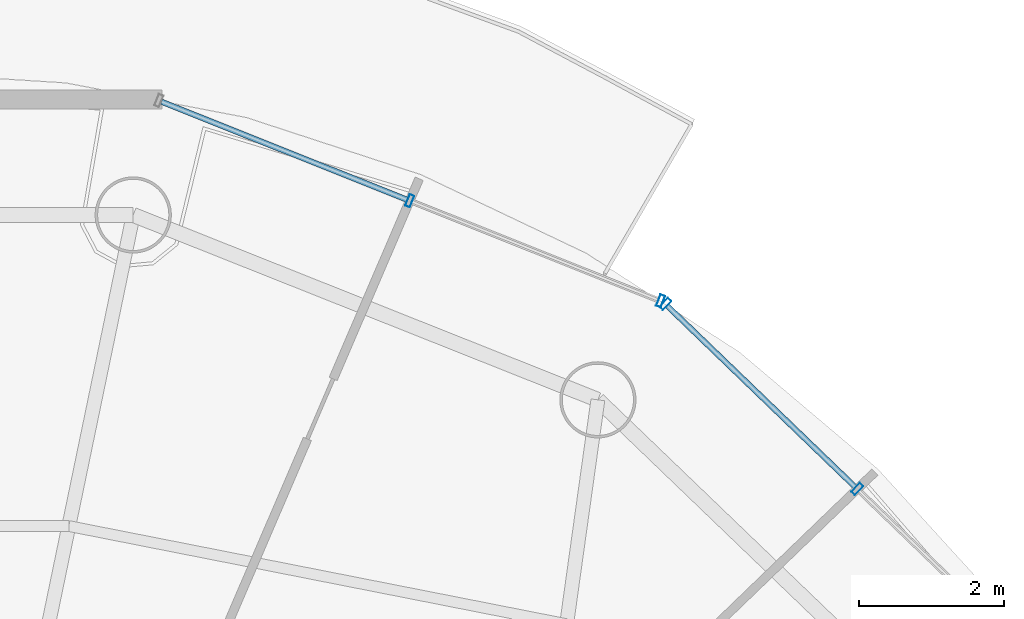
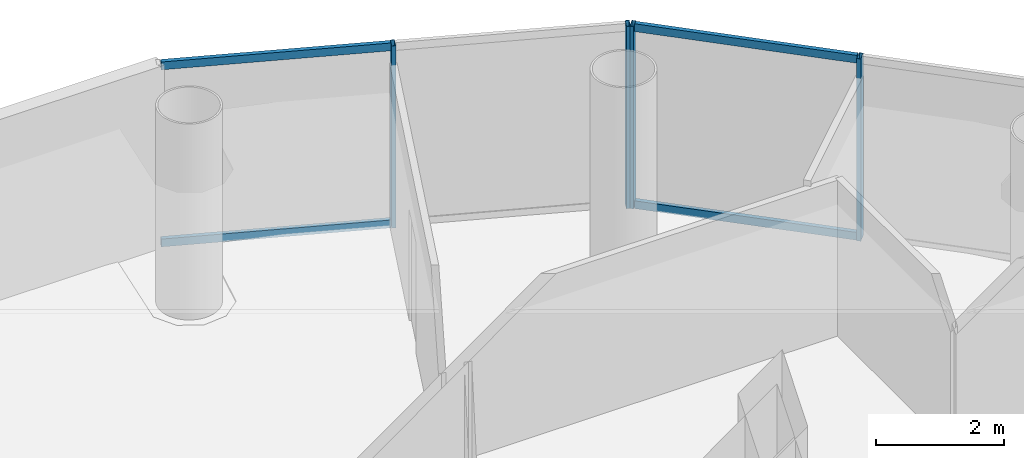
# One storey, part 15 of 23: 8 members, 2 elements without a shape of their own.
"""IFC4 building model written with IfcOpenShell, lengths in metres."""

from ifc_helpers import new_model, si_unit, direction, frame, origin, origin_2d, place, context, subcontext, project, spatial, hollow_rectangle, extrude, source, transform, mapped, material, material_profile, profile_set, type_object, element, aggregate, save


model = new_model("IFC4")

# Units and contexts
model_context = context("Model", 3, precision=1e-05, world=origin(), true_north=direction((-0.2419218956, 0.970295726276)))
body_context = subcontext(model_context, "Body", "Model", "MODEL_VIEW")
ifc_project = project(units=[si_unit("LENGTHUNIT", "METRE"), si_unit("AREAUNIT", "SQUARE_METRE"), si_unit("VOLUMEUNIT", "CUBIC_METRE"), si_unit("PLANEANGLEUNIT", "RADIAN"), si_unit("MASSUNIT", "GRAM", prefix="KILO")], contexts=[model_context])

# Site, building, storey
site_placement = place(None, origin())
site = spatial("IfcSite", under=ifc_project, at=site_placement, CompositionType="ELEMENT")
building_placement = place(site_placement, origin())
building = spatial("IfcBuilding", under=site, at=building_placement, Name="Cobrevalo Terracotta Tower", CompositionType="ELEMENT")
storey_placement = place(building_placement, frame((0.0, 0.0, 251.949951171875)))
storey = spatial("IfcBuildingStorey", under=building, at=storey_placement, Name="L66", CompositionType="ELEMENT", Elevation=251.949951171875)

# Curtain wall, members
ifc_material = material(Name="Anodized aluminium", Category="aluminium")
curtain_wall_type = type_object("IfcCurtainWallType", Name="Upper-tower triple-glazed penthouse curtain wall CW-U3", PredefinedType="NOTDEFINED", material=ifc_material)
curtain_wall_1_placement = place(storey_placement, origin())
curtain_wall_1 = element("IfcCurtainWall", 1, at=curtain_wall_1_placement, inside=storey, type_object=curtain_wall_type, Name="L66 curtain wall CW-L66-S02", PredefinedType="NOTDEFINED")
ifc_material_profile_1 = material_profile(ifc_material, hollow_rectangle(XDim=0.070068359375, YDim=0.169921875, WallThickness=0.00439453125, at=origin_2d()), Name="CWM 70x170")
ifc_profile_set_1 = profile_set([ifc_material_profile_1], Name="Anodized aluminium")
member_type_1 = type_object("IfcMemberType", Name="Upper tower unitised mullion 70x170", PredefinedType="MULLION", material=ifc_profile_set_1)
shared_shape_1 = source(origin(), body_context, "Body", "SweptSolid", [
    extrude(hollow_rectangle(XDim=0.070068359375, YDim=0.169921875, WallThickness=0.00439453125, at=origin_2d()), origin(), (0.0, 0.0, 1.0), 3.489990234375),
])
member_1_placement = place(storey_placement, frame((51.43359375, 39.748046875, 0.0), z_axis=(0.0, 0.0, 1.0), x_axis=(-0.71999418085, 0.69398010025, 0.0)))
member_1 = element("IfcMember", 2, at=member_1_placement, type_object=member_type_1, Name="CW-L66-S02 vertical mullion 02", PredefinedType="MULLION", context=body_context, shape_type="MappedRepresentation", body=[
    mapped(shared_shape_1, transform((0.0, 0.0, 0.0), scale=1.0)),
])
member_2_placement = place(storey_placement, frame((48.790283203125, 42.2958984375, 0.0), z_axis=(0.0, 0.0, 1.0), x_axis=(-0.71999418085, 0.69398010025, 0.0)))
member_2 = element("IfcMember", 3, at=member_2_placement, type_object=member_type_1, Name="CW-L66-S02 vertical mullion 03", PredefinedType="MULLION", context=body_context, shape_type="MappedRepresentation", body=[
    mapped(shared_shape_1, transform((0.0, 0.0, 0.0), scale=1.0)),
])

curtain_wall_2_placement = place(storey_placement, origin())
curtain_wall_2 = element("IfcCurtainWall", 4, at=curtain_wall_2_placement, inside=storey, type_object=curtain_wall_type, Name="L66 curtain wall CW-L66-S03", PredefinedType="NOTDEFINED")
member_3_placement = place(storey_placement, frame((48.724365234375, 42.33837890625, 0.0), z_axis=(0.0, 0.0, 1.0), x_axis=(-0.928718980883, 0.370784377433, 0.0)))
member_3 = element("IfcMember", 5, at=member_3_placement, type_object=member_type_1, Name="CW-L66-S03 vertical mullion 01", PredefinedType="MULLION", context=body_context, shape_type="MappedRepresentation", body=[
    mapped(shared_shape_1, transform((0.0, 0.0, 0.0), scale=1.0)),
])
member_4_placement = place(storey_placement, frame((45.270263671875, 43.71728515625, 0.0), z_axis=(0.0, 0.0, 1.0), x_axis=(-0.928718980883, 0.370784377433, 0.0)))
member_4 = element("IfcMember", 6, at=member_4_placement, type_object=member_type_1, Name="CW-L66-S03 vertical mullion 02", PredefinedType="MULLION", context=body_context, shape_type="MappedRepresentation", body=[
    mapped(shared_shape_1, transform((0.0, 0.0, 0.0), scale=1.0)),
])

# Member
ifc_material_profile_2 = material_profile(ifc_material, hollow_rectangle(XDim=0.074951171875, YDim=0.14990234375, WallThickness=0.00439453125, at=origin_2d()), Name="CWT 75x150")
ifc_profile_set_2 = profile_set([ifc_material_profile_2], Name="Anodized aluminium")
member_type_2 = type_object("IfcMemberType", Name="Tower unitised aluminium transom 75x150", PredefinedType="USERDEFINED", material=ifc_profile_set_2)
shared_shape_2 = source(origin(), body_context, "Body", "SweptSolid", [
    extrude(hollow_rectangle(XDim=0.074951171875, YDim=0.14990234375, WallThickness=0.00439453125, at=origin_2d()), origin(), (0.0, 0.0, 1.0), 3.59130859375),
])
member_5_placement = place(storey_placement, frame((51.40478515625, 39.77587890625, 0.050048828125), z_axis=(-0.720005628362, 0.693968223427, 0.0), x_axis=(-0.693968223427, -0.720005628362, 0.0)))
member_5 = element("IfcMember", 7, at=member_5_placement, type_object=member_type_2, Name="CW-L66-S02 transom B02-T1", ObjectType="TRANSOM", PredefinedType="USERDEFINED", context=body_context, shape_type="MappedRepresentation", body=[
    mapped(shared_shape_2, transform((0.0, 0.0, 0.0), scale=1.0)),
])

member_6_placement = place(storey_placement, frame((51.40478515625, 39.77587890625, 3.43994140625), z_axis=(-0.720005628362, 0.693968223427, 0.0), x_axis=(-0.693968223427, -0.720005628362, 0.0)))
member_6 = element("IfcMember", 8, at=member_6_placement, type_object=member_type_2, Name="CW-L66-S02 transom B02-T2", ObjectType="TRANSOM", PredefinedType="USERDEFINED", context=body_context, shape_type="MappedRepresentation", body=[
    mapped(shared_shape_2, transform((0.0, 0.0, 0.0), scale=1.0)),
])

aggregate(curtain_wall_1, [member_1, member_2, member_5, member_6])

shared_shape_3 = source(origin(), body_context, "Body", "SweptSolid", [
    extrude(hollow_rectangle(XDim=0.074951171875, YDim=0.14990234375, WallThickness=0.00439453125, at=origin_2d()), origin(), (0.0, 0.0, 1.0), 3.63916015625),
])
member_7_placement = place(storey_placement, frame((45.23291015625, 43.732177734375, 0.050048828125), z_axis=(-0.928712471544, 0.370800681227, 0.0), x_axis=(-0.370800681227, -0.928712471544, 0.0)))
member_7 = element("IfcMember", 9, at=member_7_placement, type_object=member_type_2, Name="CW-L66-S03 transom B02-T1", ObjectType="TRANSOM", PredefinedType="USERDEFINED", context=body_context, shape_type="MappedRepresentation", body=[
    mapped(shared_shape_3, transform((0.0, 0.0, 0.0), scale=1.0)),
])

member_8_placement = place(storey_placement, frame((45.23291015625, 43.732177734375, 3.43994140625), z_axis=(-0.928712471544, 0.370800681227, 0.0), x_axis=(-0.370800681227, -0.928712471544, 0.0)))
member_8 = element("IfcMember", 10, at=member_8_placement, type_object=member_type_2, Name="CW-L66-S03 transom B02-T2", ObjectType="TRANSOM", PredefinedType="USERDEFINED", context=body_context, shape_type="MappedRepresentation", body=[
    mapped(shared_shape_3, transform((0.0, 0.0, 0.0), scale=1.0)),
])

aggregate(curtain_wall_2, [member_3, member_4, member_7, member_8])

save(model, "model.ifc")
